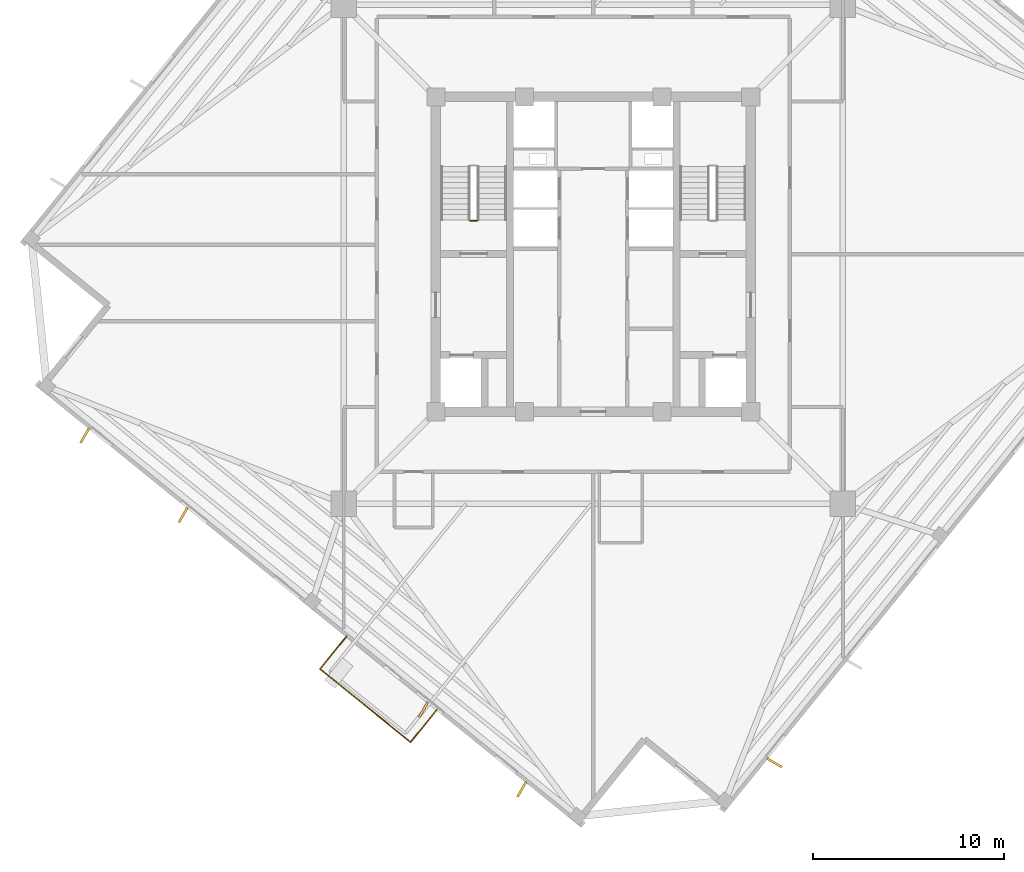
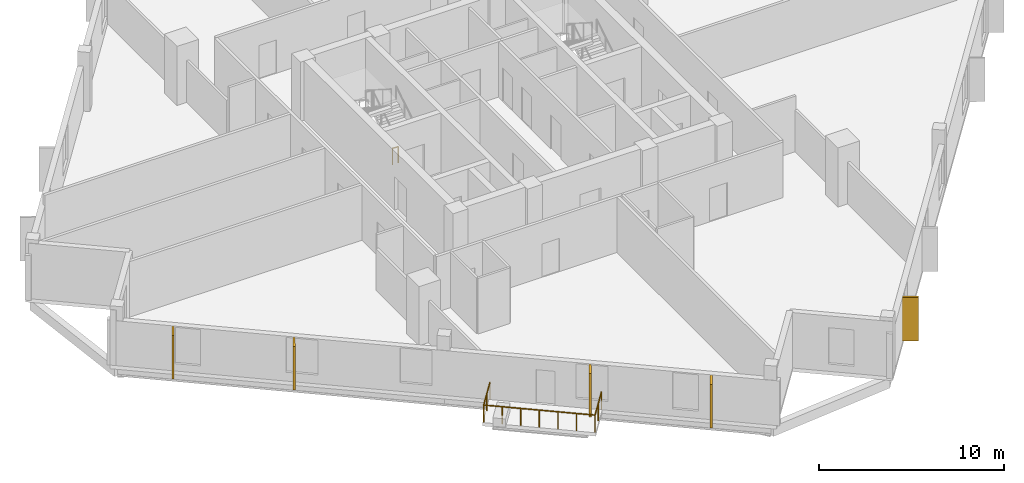
# One storey, part 7 of 10: 5 coverings, 4 railings.
"""IFC4 building model written with IfcOpenShell, lengths in metres."""

from ifc_helpers import new_model, si_unit, direction, frame, origin, origin_2d, place, context, subcontext, project, spatial, rectangle, circle, extrude, source, transform, mapped, material, layer, layer_set, type_object, element, save


model = new_model("IFC4")

# Units and contexts
model_context = context("Model", 3, precision=1e-05, world=origin(), true_north=direction((0.0, 1.0)))
body_context = subcontext(model_context, "Body", "Model", "MODEL_VIEW")
ifc_project = project(units=[si_unit("LENGTHUNIT", "METRE"), si_unit("AREAUNIT", "SQUARE_METRE"), si_unit("VOLUMEUNIT", "CUBIC_METRE"), si_unit("PLANEANGLEUNIT", "RADIAN"), si_unit("MASSUNIT", "GRAM", prefix="KILO"), si_unit("THERMODYNAMICTEMPERATUREUNIT", "KELVIN")], contexts=[model_context])

# Site, building, storey
site_placement = place(None, origin())
site = spatial("IfcSite", under=ifc_project, at=site_placement, CompositionType="ELEMENT")
building_placement = place(site_placement, origin())
building = spatial("IfcBuilding", under=site, at=building_placement, Name="Kosmvard Interchange Tower", CompositionType="ELEMENT")
storey_placement = place(building_placement, frame((0.0, 0.0, 252.39990234375)))
storey = spatial("IfcBuildingStorey", under=building, at=storey_placement, Name="L61", CompositionType="ELEMENT", Elevation=252.39990234375)

# Coverings
ifc_material_1 = material(Name="Architectural anodised aluminium", Category="aluminium")
ifc_layer = layer(ifc_material_1, 0.1201171875, Name="Architectural anodised aluminium")
ifc_layer_set = layer_set([ifc_layer], Name="Architectural anodised aluminium")
covering_type = type_object("IfcCoveringType", Name="Rotating Vertical Sun-Breaker Fin 900x120 Aluminium", PredefinedType="CLADDING", material=ifc_layer_set)
shared_shape_1 = source(origin(), body_context, "Body", "SweptSolid", [
    extrude(rectangle(XDim=0.89990234375, YDim=0.1201171875, at=origin_2d()), origin(), (0.0, 0.0, 1.0), 2.8798828125),
])
for number, where, z_axis, x_axis, name in (
    (1, (9.494384765625, -26.650146484375, 0.0400390625), (0.0, 0.0, 1.0), (0.868112195148, -0.496368025395, 0.0), "L61 Rotating Vertical Sun-Breaker Fin 01"),
    (2, (-26.650146484375, -9.494384765625, 0.0400390625), (0.0, 0.0, 1.0), (-0.496368025395, -0.868112195148, 0.0), "L61 Rotating Vertical Sun-Breaker Fin 13"),
    (3, (-21.49658203125, -13.66748046875, 0.0400390625), (0.0, 0.0, 1.0), (-0.496368025395, -0.868112195148, 0.0), "L61 Rotating Vertical Sun-Breaker Fin 14"),
    (4, (-8.8994140625, -23.86865234375, 0.0400390625), (0.0, 0.0, 1.0), (-0.496368025395, -0.868112195148, 0.0), "L61 Rotating Vertical Sun-Breaker Fin 15"),
    (5, (-3.74609375, -28.041748046875, 0.0400390625), (0.0, 0.0, 1.0), (-0.496368025395, -0.868112195148, 0.0), "L61 Rotating Vertical Sun-Breaker Fin 16"),
):
    element("IfcCovering", number, at=place(storey_placement, frame(where, z_axis=z_axis, x_axis=x_axis)), inside=storey, type_object=covering_type, Name=name, PredefinedType="CLADDING", context=body_context, shape_type="MappedRepresentation", body=[
        mapped(shared_shape_1, transform((0.0, 0.0, 0.0), scale=1.0)),
    ])

# Railings
ifc_material_2 = material(Name="Steel S355", Category="steel")
railing_type_1 = type_object("IfcRailingType", Name="Observation & Balcony Glass-Infill Balustrade 1150", PredefinedType="BALUSTRADE", material=ifc_material_2)
shared_shape_2 = source(origin(), body_context, "Body", "SweptSolid", [
    extrude(circle(Radius=0.02392578125, at=origin_2d()), frame((0.0, 0.0, 1.1259765625), z_axis=(0.629325914736, 0.777141488432, 0.0), x_axis=(-0.777141488432, 0.629325914736, 0.0)), (0.0, 0.0, 1.0), 2.199951171875),
    extrude(circle(Radius=0.02099609375, at=origin_2d()), origin(), (0.0, 0.0, 1.0), 1.101806640625),
    extrude(circle(Radius=0.02099609375, at=origin_2d()), frame((0.6923828125, 0.85498046875, 0.0)), (0.0, 0.0, 1.0), 1.101806640625),
    extrude(circle(Radius=0.02099609375, at=origin_2d()), frame((1.384521484375, 1.709716796875, 0.0)), (0.0, 0.0, 1.0), 1.101806640625),
])
railing_1_placement = place(storey_placement, frame((-9.5771484375, -25.57177734375, 0.0)))
element("IfcRailing", 6, at=railing_1_placement, inside=storey, type_object=railing_type_1, Name="L61 Outdoor Terrace Guard BAL-L61-W-C", PredefinedType="BALUSTRADE", context=body_context, shape_type="MappedRepresentation", body=[
    mapped(shared_shape_2, transform((0.0, 0.0, 0.0), scale=1.0)),
])
shared_shape_3 = source(origin(), body_context, "Body", "SweptSolid", [
    extrude(circle(Radius=0.02392578125, at=origin_2d()), frame((0.0, 0.0, 1.1259765625), z_axis=(-0.629325914736, -0.777141488432, 0.0), x_axis=(0.777141488432, -0.629325914736, 0.0)), (0.0, 0.0, 1.0), 2.199951171875),
    extrude(circle(Radius=0.02099609375, at=origin_2d()), origin(), (0.0, 0.0, 1.0), 1.101806640625),
    extrude(circle(Radius=0.02099609375, at=origin_2d()), frame((-0.6923828125, -0.85498046875, 0.0)), (0.0, 0.0, 1.0), 1.101806640625),
    extrude(circle(Radius=0.02099609375, at=origin_2d()), frame((-1.384521484375, -1.709716796875, 0.0)), (0.0, 0.0, 1.0), 1.101806640625),
])
railing_2_placement = place(storey_placement, frame((-12.93310546875, -20.023193359375, 0.0)))
element("IfcRailing", 7, at=railing_2_placement, inside=storey, type_object=railing_type_1, Name="L61 Outdoor Terrace Guard BAL-L61-W-A", PredefinedType="BALUSTRADE", context=body_context, shape_type="MappedRepresentation", body=[
    mapped(shared_shape_3, transform((0.0, 0.0, 0.0), scale=1.0)),
])
shared_shape_4 = source(origin(), body_context, "Body", "SweptSolid", [
    extrude(circle(Radius=0.02392578125, at=origin_2d()), frame((0.0, 0.0, 1.1259765625), z_axis=(0.777137673017, -0.629330626282, 0.0), x_axis=(0.629330626282, 0.777137673017, 0.0)), (0.0, 0.0, 1.0), 6.099853515625),
    extrude(circle(Radius=0.02099609375, at=origin_2d()), origin(), (0.0, 0.0, 1.0), 1.101806640625),
    extrude(circle(Radius=0.02099609375, at=origin_2d()), frame((0.7900390625, -0.639892578125, 0.0)), (0.0, 0.0, 1.0), 1.101806640625),
    extrude(circle(Radius=0.02099609375, at=origin_2d()), frame((1.580078125, -1.279541015625, 0.0)), (0.0, 0.0, 1.0), 1.101806640625),
    extrude(circle(Radius=0.02099609375, at=origin_2d()), frame((2.3701171875, -1.91943359375, 0.0)), (0.0, 0.0, 1.0), 1.101806640625),
    extrude(circle(Radius=0.02099609375, at=origin_2d()), frame((3.160400390625, -2.559326171875, 0.0)), (0.0, 0.0, 1.0), 1.101806640625),
    extrude(circle(Radius=0.02099609375, at=origin_2d()), frame((3.950439453125, -3.198974609375, 0.0)), (0.0, 0.0, 1.0), 1.101806640625),
    extrude(circle(Radius=0.02099609375, at=origin_2d()), frame((4.740478515625, -3.8388671875, 0.0)), (0.0, 0.0, 1.0), 1.101806640625),
])
railing_3_placement = place(storey_placement, frame((-14.317626953125, -21.73291015625, 0.0)))
element("IfcRailing", 8, at=railing_3_placement, inside=storey, type_object=railing_type_1, Name="L61 Outdoor Terrace Guard BAL-L61-W-B", PredefinedType="BALUSTRADE", context=body_context, shape_type="MappedRepresentation", body=[
    mapped(shared_shape_4, transform((0.0, 0.0, 0.0), scale=1.0)),
])
railing_type_2 = type_object("IfcRailingType", Name="Stair & Terrace Safety Guardrail 1100 Steel", PredefinedType="GUARDRAIL", material=ifc_material_2)
shared_shape_5 = source(origin(), body_context, "Body", "SweptSolid", [
    extrude(circle(Radius=0.02392578125, at=origin_2d()), frame((0.0, 0.0, 1.076171875), z_axis=(-1.0, 0.0, 0.0), x_axis=(0.0, -1.0, 0.0)), (0.0, 0.0, 1.0), 0.35986328125),
    extrude(circle(Radius=0.02099609375, at=origin_2d()), origin(), (0.0, 0.0, 1.0), 1.052001953125),
    extrude(circle(Radius=0.02099609375, at=origin_2d()), frame((-0.35986328125, 0.0, 0.0)), (0.0, 0.0, 1.0), 1.052001953125),
])
railing_4_placement = place(storey_placement, frame((-6.090087890625, 1.75, 0.0)))
element("IfcRailing", 9, at=railing_4_placement, inside=storey, type_object=railing_type_2, Name="L61 ST-1 stair guard 4", PredefinedType="GUARDRAIL", context=body_context, shape_type="MappedRepresentation", body=[
    mapped(shared_shape_5, transform((0.0, 0.0, 0.0), scale=1.0)),
])

save(model, "model.ifc")
